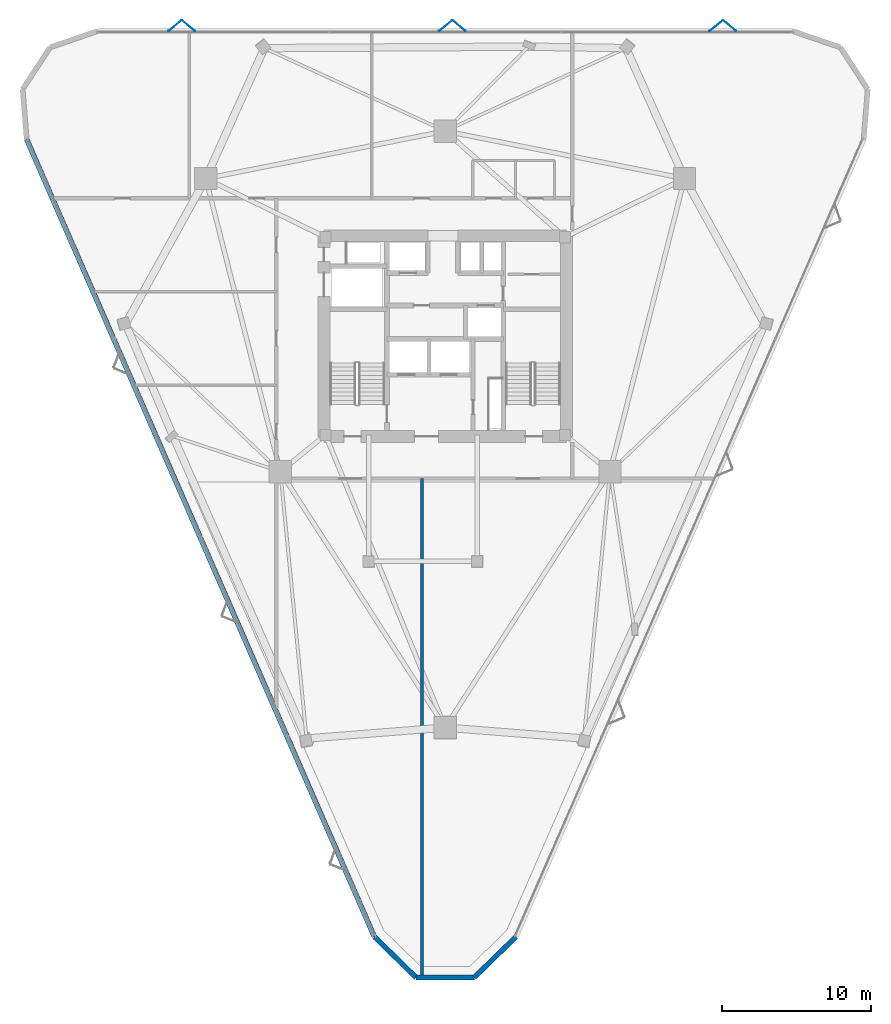
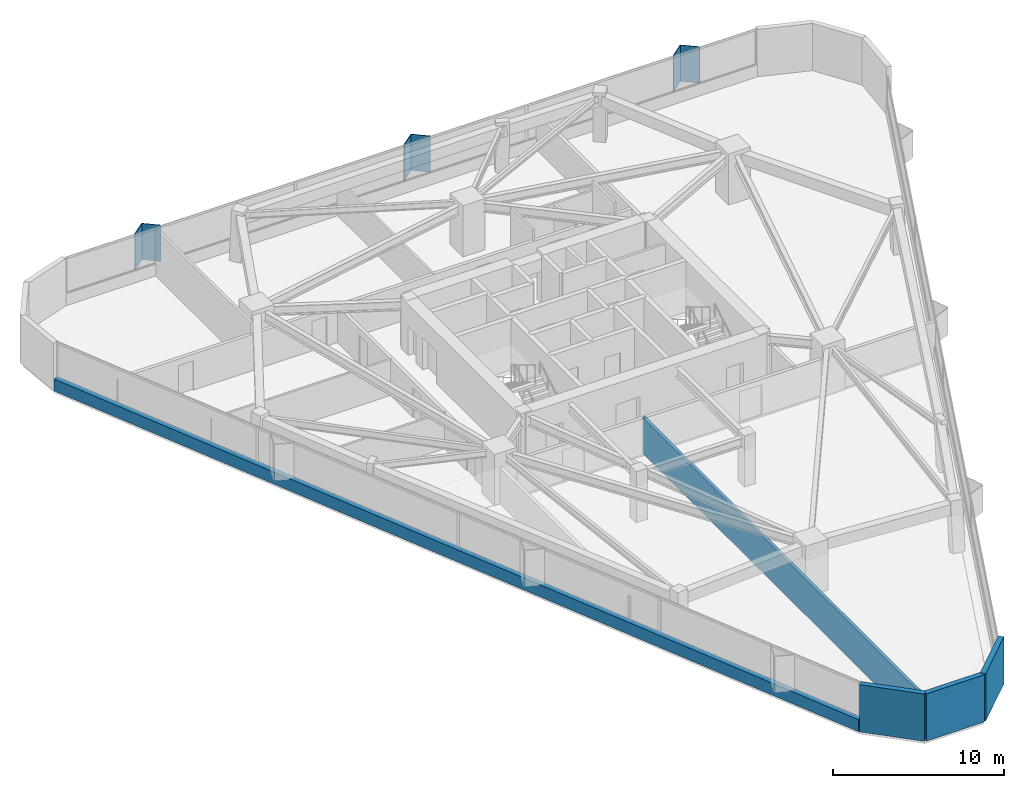
# One storey, part 9 of 13: 6 plates, 5 walls.
"""IFC4 building model written with IfcOpenShell, lengths in metres."""

from ifc_helpers import new_model, si_unit, direction, frame, frame_2d, origin, origin_2d, place, context, subcontext, project, spatial, rectangle, extrude, material, layer, layer_set, type_object, element, save


model = new_model("IFC4")

# Units and contexts
model_context = context("Model", 3, precision=1e-05, world=origin(), true_north=direction((0.0, 1.0)))
body_context = subcontext(model_context, "Body", "Model", "MODEL_VIEW")
ifc_project = project(units=[si_unit("LENGTHUNIT", "METRE"), si_unit("AREAUNIT", "SQUARE_METRE"), si_unit("VOLUMEUNIT", "CUBIC_METRE"), si_unit("PLANEANGLEUNIT", "RADIAN"), si_unit("MASSUNIT", "GRAM", prefix="KILO")], contexts=[model_context])

# Site, building, storey
site_placement = place(None, origin())
site = spatial("IfcSite", under=ifc_project, at=site_placement, CompositionType="ELEMENT")
building_placement = place(site_placement, origin())
building = spatial("IfcBuilding", under=site, at=building_placement, Name="Talyreon Biosciences Tower", CompositionType="ELEMENT")
storey_placement = place(building_placement, frame((0.0, 0.0, 145.449951171875)))
storey = spatial("IfcBuildingStorey", under=building, at=storey_placement, Name="L38", CompositionType="ELEMENT", Elevation=145.449951171875)

# Plates
ifc_material_1 = material(Name="Ivory GFRC sunshade panel", Category="concrete")
ifc_layer_1 = layer(ifc_material_1, 0.044921875)
ifc_layer_set_1 = layer_set([ifc_layer_1], Name="Ivory GFRC sunshade panel")
plate_type = type_object("IfcPlateType", Name="FoldedVSunshade_NorthFace_SUNSHADE", PredefinedType="USERDEFINED", material=ifc_layer_set_1)
for number, where, z_axis, x_axis, name in (
    (1, (47.82763671875, 88.87939453125, 0.7900390625), (0.0, 0.0, 1.0), (0.771624583388, 0.636078220278, 0.0), "L38 Folded V-Sunshade Panel 04.01L"),
    (2, (48.727783203125, 88.87939453125, 0.7900390625), (0.0, 0.0, 1.0), (0.771624583388, -0.636078220278, 0.0), "L38 Folded V-Sunshade Panel 04.01R"),
    (3, (66.027587890625, 88.87939453125, 0.7900390625), (0.0, 0.0, 1.0), (0.771624583388, 0.636078220278, 0.0), "L38 Folded V-Sunshade Panel 04.02L"),
    (4, (66.927734375, 88.87939453125, 0.7900390625), (0.0, 0.0, 1.0), (0.771624583388, -0.636078220278, 0.0), "L38 Folded V-Sunshade Panel 04.02R"),
    (5, (84.227783203125, 88.87939453125, 0.7900390625), (0.0, 0.0, 1.0), (0.771624583388, 0.636078220278, 0.0), "L38 Folded V-Sunshade Panel 04.03L"),
    (6, (85.127685546875, 88.87939453125, 0.7900390625), (0.0, 0.0, 1.0), (0.771624583388, -0.636078220278, 0.0), "L38 Folded V-Sunshade Panel 04.03R"),
):
    element("IfcPlate", number, at=place(storey_placement, frame(where, z_axis=z_axis, x_axis=x_axis)), inside=storey, type_object=plate_type, Name=name, ObjectType="SUNSHADE", PredefinedType="USERDEFINED", context=body_context, shape_type="SweptSolid", body=[
        extrude(rectangle(XDim=1.14990234375, YDim=0.044921875, at=origin_2d()), origin(), (0.0, 0.0, 1.0), 2.5849609375),
    ])

# Walls
ifc_material_2 = material(Name="Gypsum fireboard acoustic stud", Category="gypsum")
ifc_layer_2 = layer(ifc_material_2, 0.199951171875)
ifc_layer_set_2 = layer_set([ifc_layer_2], Name="Gypsum fireboard acoustic stud")
wall_type_1 = type_object("IfcWallType", Name="ChemControlPartition_200", PredefinedType="PARTITIONING", material=ifc_layer_set_2)
wall_1_placement = place(storey_placement, frame((64.43798828125, 24.94140625, 0.0), z_axis=(0.0, 0.0, 1.0), x_axis=(0.0, 1.0, 0.0)))
element("IfcWall", 7, at=wall_1_placement, inside=storey, type_object=wall_type_1, Name="L38 Interior Wall IW-L38-SDIV1", PredefinedType="PARTITIONING", context=body_context, shape_type="SweptSolid", body=[
    extrude(rectangle(XDim=33.478515625, YDim=0.199951171875, at=frame_2d((16.7392578125, 0.0))), origin(), (0.0, 0.0, 1.0), 2.574951171875),
])
ifc_material_3 = material(Name="Precast concrete C45/55", Category="concrete")
ifc_layer_3 = layer(ifc_material_3, 0.340087890625)
ifc_layer_set_3 = layer_set([ifc_layer_3], Name="Precast concrete C45/55")
wall_type_2 = type_object("IfcWallType", Name="PrecastConcreteSpandrelWall_340", PredefinedType="STANDARD", material=ifc_layer_set_3)
wall_2_placement = place(storey_placement, frame((61.2333984375, 27.59423828125, 0.0), z_axis=(0.0, 0.0, 1.0), x_axis=(-0.399698312425, 0.916646747141, 0.0)))
element("IfcWall", 8, at=wall_2_placement, inside=storey, type_object=wall_type_2, Name="L38 Expressed Concrete Sill Wall 00", PredefinedType="STANDARD", context=body_context, shape_type="SweptSolid", body=[
    extrude(rectangle(XDim=58.52490234375, YDim=0.340087890625, at=frame_2d((29.262451171875, 0.0))), origin(), (0.0, 0.0, 1.0), 0.85009765625),
])
wall_3_placement = place(storey_placement, frame((70.7666015625, 27.59423828125, 0.0), z_axis=(0.0, 0.0, 1.0), x_axis=(-0.715770561267, -0.698335523672, 0.0)))
element("IfcWall", 9, at=wall_3_placement, inside=storey, type_object=wall_type_2, Name="L38 Rounded-Corner Concrete Pier 09", PredefinedType="STANDARD", context=body_context, shape_type="SweptSolid", body=[
    extrude(rectangle(XDim=3.9208984375, YDim=0.340087890625, at=frame_2d((1.96044921875, 0.0))), origin(), (0.0, 0.0, 1.0), 3.375),
])
wall_4_placement = place(storey_placement, frame((67.960205078125, 24.856201171875, 0.0), z_axis=(0.0, 0.0, 1.0), x_axis=(-1.0, 0.0, 0.0)))
element("IfcWall", 10, at=wall_4_placement, inside=storey, type_object=wall_type_2, Name="L38 Rounded-Corner Concrete Pier 10", PredefinedType="STANDARD", context=body_context, shape_type="SweptSolid", body=[
    extrude(rectangle(XDim=3.92041015625, YDim=0.340087890625, at=frame_2d((1.960205078125, 0.0))), origin(), (0.0, 0.0, 1.0), 3.375),
])
wall_5_placement = place(storey_placement, frame((64.039794921875, 24.856201171875, 0.0), z_axis=(0.0, 0.0, 1.0), x_axis=(-0.715770561267, 0.698335523672, 0.0)))
element("IfcWall", 11, at=wall_5_placement, inside=storey, type_object=wall_type_2, Name="L38 Rounded-Corner Concrete Pier 11", PredefinedType="STANDARD", context=body_context, shape_type="SweptSolid", body=[
    extrude(rectangle(XDim=3.9208984375, YDim=0.340087890625, at=frame_2d((1.96044921875, 0.0))), origin(), (0.0, 0.0, 1.0), 3.375),
])

save(model, "model.ifc")
